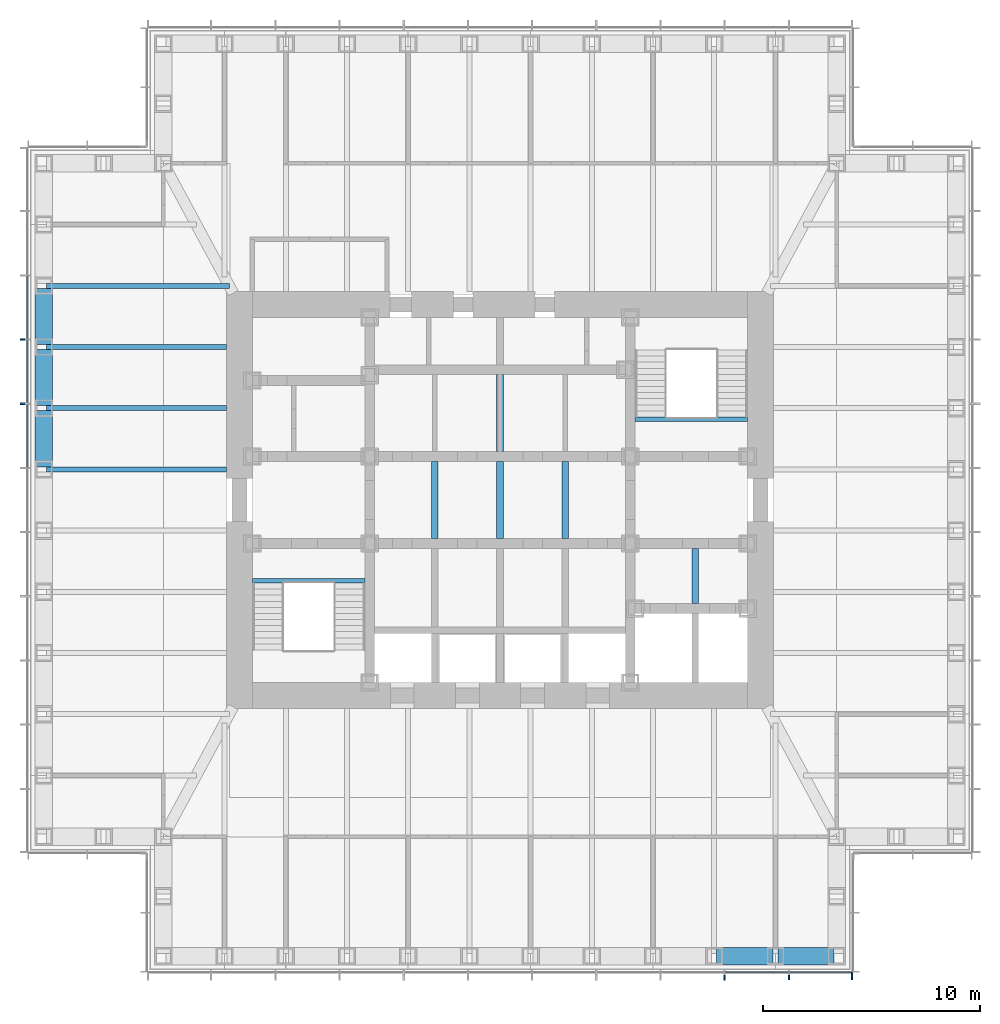
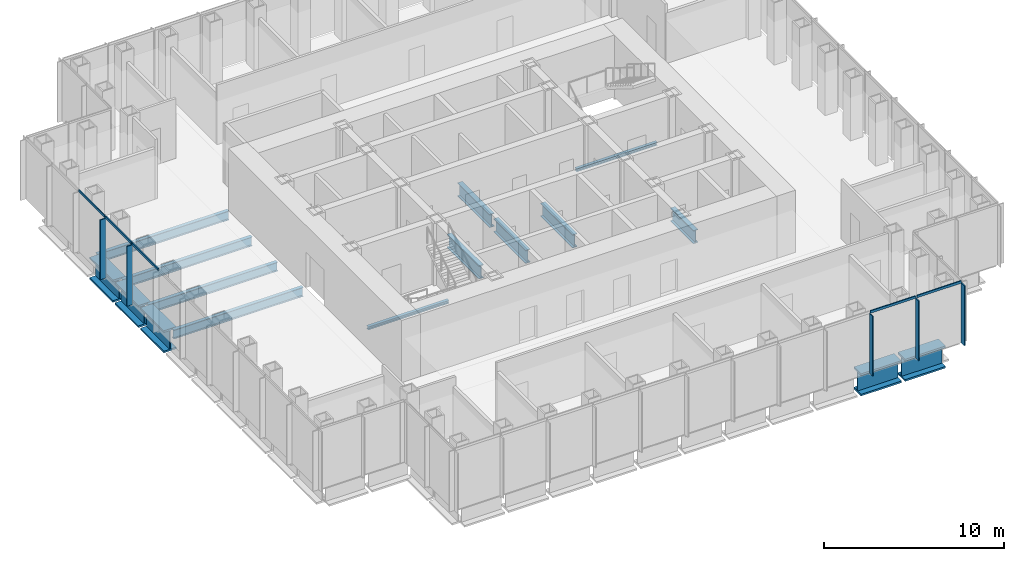
# One storey, part 3 of 16: 16 beams, 10 members, 2 elements without a shape of their own.
"""IFC4 building model written with IfcOpenShell, lengths in metres."""

from ifc_helpers import new_model, si_unit, direction, frame, origin, origin_2d, place, context, subcontext, project, spatial, rectangle, i_section, extrude, material, material_profile, profile_set, type_object, element, aggregate, save


model = new_model("IFC4")

# Units and contexts
model_context = context("Model", 3, precision=1e-05, world=origin(), true_north=direction((0.0, 1.0)))
body_context = subcontext(model_context, "Body", "Model", "MODEL_VIEW")
ifc_project = project(units=[si_unit("LENGTHUNIT", "METRE"), si_unit("AREAUNIT", "SQUARE_METRE"), si_unit("VOLUMEUNIT", "CUBIC_METRE"), si_unit("PLANEANGLEUNIT", "RADIAN"), si_unit("MASSUNIT", "GRAM", prefix="KILO")], contexts=[model_context])

# Site, building, storey
site_placement = place(None, origin())
site = spatial("IfcSite", under=ifc_project, at=site_placement, CompositionType="ELEMENT")
building_placement = place(site_placement, origin())
building = spatial("IfcBuilding", under=site, at=building_placement, Name="Daluyong Arena Tower", CompositionType="ELEMENT")
storey_placement = place(building_placement, frame((0.0, 0.0, 219.10009765625)))
storey = spatial("IfcBuildingStorey", under=building, at=storey_placement, Name="L49", CompositionType="ELEMENT", Elevation=219.10009765625)

# Curtain wall, members
ifc_material_1 = material(Name="Bronze anodised aluminium and glass", Category="aluminium")
curtain_wall_type = type_object("IfcCurtainWallType", Name="Curtain wall CW3", PredefinedType="USERDEFINED", material=ifc_material_1)
curtain_wall_1_placement = place(storey_placement, origin())
curtain_wall_1 = element("IfcCurtainWall", 1, at=curtain_wall_1_placement, inside=storey, type_object=curtain_wall_type, Name="curtain wall L49 S", ObjectType="UNITISED CURTAIN WALL", PredefinedType="USERDEFINED")
ifc_material_2 = material(Name="Bronze anodised aluminium fin", Category="aluminium")
ifc_material_profile_1 = material_profile(ifc_material_2, rectangle(XDim=0.35009765625, YDim=0.070068359375, at=origin_2d()))
ifc_profile_set_1 = profile_set([ifc_material_profile_1], Name="Bronze anodised aluminium fin")
member_type_1 = type_object("IfcMemberType", Name="CW3 bronze fin 350x70", PredefinedType="MULLION", material=ifc_profile_set_1)
member_1_placement = place(storey_placement, frame((66.3408203125, 58.074951171875, 0.0), z_axis=(0.0, 0.0, 1.0), x_axis=(0.0, 1.0, 0.0)))
member_1 = element("IfcMember", 2, at=member_1_placement, type_object=member_type_1, Name="curtain wall L49 S fin 10", PredefinedType="MULLION", context=body_context, shape_type="SweptSolid", body=[
    extrude(rectangle(XDim=0.35009765625, YDim=0.070068359375, at=origin_2d()), origin(), (0.0, 0.0, 1.0), 4.039794921875),
])
member_2_placement = place(storey_placement, frame((69.29541015625, 58.074951171875, 0.0), z_axis=(0.0, 0.0, 1.0), x_axis=(0.0, 1.0, 0.0)))
member_2 = element("IfcMember", 3, at=member_2_placement, type_object=member_type_1, Name="curtain wall L49 S fin 11", PredefinedType="MULLION", context=body_context, shape_type="SweptSolid", body=[
    extrude(rectangle(XDim=0.35009765625, YDim=0.070068359375, at=origin_2d()), origin(), (0.0, 0.0, 1.0), 4.039794921875),
])
member_3_placement = place(storey_placement, frame((72.215087890625, 58.074951171875, 0.0), z_axis=(0.0, 0.0, 1.0), x_axis=(0.0, 1.0, 0.0)))
member_3 = element("IfcMember", 4, at=member_3_placement, type_object=member_type_1, Name="curtain wall L49 S fin 12", PredefinedType="MULLION", context=body_context, shape_type="SweptSolid", body=[
    extrude(rectangle(XDim=0.35009765625, YDim=0.070068359375, at=origin_2d()), origin(), (0.0, 0.0, 1.0), 4.039794921875),
])

curtain_wall_2_placement = place(storey_placement, origin())
curtain_wall_2 = element("IfcCurtainWall", 5, at=curtain_wall_2_placement, inside=storey, type_object=curtain_wall_type, Name="curtain wall L49 W", ObjectType="UNITISED CURTAIN WALL", PredefinedType="USERDEFINED")
member_4_placement = place(storey_placement, frame((34.074951171875, 87.386474609375, 0.0), z_axis=(0.0, 0.0, 1.0), x_axis=(1.0, 0.0, 0.0)))
member_4 = element("IfcMember", 6, at=member_4_placement, type_object=member_type_1, Name="curtain wall L49 W fin 4", PredefinedType="MULLION", context=body_context, shape_type="SweptSolid", body=[
    extrude(rectangle(XDim=0.35009765625, YDim=0.070068359375, at=origin_2d()), origin(), (0.0, 0.0, 1.0), 4.039794921875),
])
member_5_placement = place(storey_placement, frame((34.074951171875, 84.431884765625, 0.0), z_axis=(0.0, 0.0, 1.0), x_axis=(1.0, 0.0, 0.0)))
member_5 = element("IfcMember", 7, at=member_5_placement, type_object=member_type_1, Name="curtain wall L49 W fin 5", PredefinedType="MULLION", context=body_context, shape_type="SweptSolid", body=[
    extrude(rectangle(XDim=0.35009765625, YDim=0.070068359375, at=origin_2d()), origin(), (0.0, 0.0, 1.0), 4.039794921875),
])

# Member
ifc_material_3 = material(Name="Bronze anodised aluminium", Category="aluminium")
ifc_material_profile_2 = material_profile(ifc_material_3, rectangle(XDim=0.070068359375, YDim=0.159912109375, at=origin_2d()))
ifc_profile_set_2 = profile_set([ifc_material_profile_2], Name="Bronze anodised aluminium")
member_type_2 = type_object("IfcMemberType", Name="CW3 stack transom 160x70", PredefinedType="USERDEFINED", material=ifc_profile_set_2)
member_6_placement = place(storey_placement, frame((66.3759765625, 58.25, 4.119873046875), z_axis=(1.0, 0.0, 0.0), x_axis=(0.0, 1.0, 0.0)))
member_6 = element("IfcMember", 8, at=member_6_placement, type_object=member_type_2, Name="curtain wall L49 S transom 10", ObjectType="TRANSOM", PredefinedType="USERDEFINED", context=body_context, shape_type="SweptSolid", body=[
    extrude(rectangle(XDim=0.070068359375, YDim=0.159912109375, at=origin_2d()), origin(), (0.0, 0.0, 1.0), 2.884521484375),
])

member_7_placement = place(storey_placement, frame((69.33056640625, 58.25, 4.119873046875), z_axis=(1.0, 0.0, 0.0), x_axis=(0.0, 1.0, 0.0)))
member_7 = element("IfcMember", 9, at=member_7_placement, type_object=member_type_2, Name="curtain wall L49 S transom 11", ObjectType="TRANSOM", PredefinedType="USERDEFINED", context=body_context, shape_type="SweptSolid", body=[
    extrude(rectangle(XDim=0.070068359375, YDim=0.159912109375, at=origin_2d()), origin(), (0.0, 0.0, 1.0), 2.849365234375),
])

aggregate(curtain_wall_1, [member_1, member_2, member_3, member_6, member_7])

member_8_placement = place(storey_placement, frame((34.25, 90.305908203125, 4.119873046875), z_axis=(0.0, -1.0, 0.0), x_axis=(1.0, 0.0, 0.0)))
member_8 = element("IfcMember", 10, at=member_8_placement, type_object=member_type_2, Name="curtain wall L49 W transom 3", ObjectType="TRANSOM", PredefinedType="USERDEFINED", context=body_context, shape_type="SweptSolid", body=[
    extrude(rectangle(XDim=0.070068359375, YDim=0.159912109375, at=origin_2d()), origin(), (0.0, 0.0, 1.0), 2.884521484375),
])

member_9_placement = place(storey_placement, frame((34.25, 87.351318359375, 4.119873046875), z_axis=(0.0, -1.0, 0.0), x_axis=(1.0, 0.0, 0.0)))
member_9 = element("IfcMember", 11, at=member_9_placement, type_object=member_type_2, Name="curtain wall L49 W transom 4", ObjectType="TRANSOM", PredefinedType="USERDEFINED", context=body_context, shape_type="SweptSolid", body=[
    extrude(rectangle(XDim=0.070068359375, YDim=0.159912109375, at=origin_2d()), origin(), (0.0, 0.0, 1.0), 2.884521484375),
])

member_10_placement = place(storey_placement, frame((34.25, 84.396728515625, 4.119873046875), z_axis=(0.0, -1.0, 0.0), x_axis=(1.0, 0.0, 0.0)))
member_10 = element("IfcMember", 12, at=member_10_placement, type_object=member_type_2, Name="curtain wall L49 W transom 5", ObjectType="TRANSOM", PredefinedType="USERDEFINED", context=body_context, shape_type="SweptSolid", body=[
    extrude(rectangle(XDim=0.070068359375, YDim=0.159912109375, at=origin_2d()), origin(), (0.0, 0.0, 1.0), 2.884521484375),
])

aggregate(curtain_wall_2, [member_4, member_5, member_8, member_9, member_10])

# Beams
ifc_material_4 = material(Name="Steel ASTM A992 Grade 50", Category="steel")
ifc_material_profile_3 = material_profile(ifc_material_4, i_section(OverallWidth=0.22900390625, OverallDepth=0.612060546875, WebThickness=0.011962890625, FlangeThickness=0.01953125, at=origin_2d()))
ifc_profile_set_3 = profile_set([ifc_material_profile_3], Name="Steel ASTM A992 Grade 50")
beam_type_1 = type_object("IfcBeamType", Name="Floor beam W24X84", PredefinedType="BEAM", material=ifc_profile_set_3)
beam_1_placement = place(storey_placement, frame((35.114990234375, 89.863525390625, -0.466064453125), z_axis=(1.0, 0.0, 0.0), x_axis=(0.0, 1.0, 0.0)))
element("IfcBeam", 13, at=beam_1_placement, inside=storey, type_object=beam_type_1, Name="floor beam FB3", PredefinedType="BEAM", context=body_context, shape_type="SweptSolid", body=[
    extrude(i_section(OverallWidth=0.22900390625, OverallDepth=0.612060546875, WebThickness=0.011962890625, FlangeThickness=0.01953125, at=origin_2d()), origin(), (0.0, 0.0, 1.0), 8.419921875),
])
for number, where, z_axis, x_axis, name in (
    (14, (35.114990234375, 87.04541015625, -0.466064453125), (1.0, 0.0, 0.0), (0.0, 1.0, 0.0), "floor beam FB3"),
    (15, (35.114990234375, 84.227294921875, -0.466064453125), (1.0, 0.0, 0.0), (0.0, 1.0, 0.0), "floor beam FB3"),
    (16, (35.114990234375, 81.4091796875, -0.466064453125), (1.0, 0.0, 0.0), (0.0, 1.0, 0.0), "floor beam FB3"),
):
    element("IfcBeam", number, at=place(storey_placement, frame(where, z_axis=z_axis, x_axis=x_axis)), inside=storey, type_object=beam_type_1, Name=name, PredefinedType="BEAM", context=body_context, shape_type="SweptSolid", body=[
        extrude(i_section(OverallWidth=0.22900390625, OverallDepth=0.612060546875, WebThickness=0.011962890625, FlangeThickness=0.01953125, at=origin_2d()), origin(), (0.0, 0.0, 1.0), 8.284912109375),
    ])
ifc_material_5 = material(Name="Steel ASTM A572 Grade 50", Category="steel")
ifc_material_profile_4 = material_profile(ifc_material_5, i_section(OverallWidth=0.300048828125, OverallDepth=0.89990234375, WebThickness=0.025, FlangeThickness=0.04, at=origin_2d()))
ifc_profile_set_4 = profile_set([ifc_material_profile_4], Name="Steel ASTM A572 Grade 50")
beam_type_2 = type_object("IfcBeamType", Name="Lift divider beam PG900X300", PredefinedType="BEAM", material=ifc_profile_set_4)
for number, where, z_axis, x_axis, name in (
    (17, (53.0, 78.22509765625, -0.610107421875), (0.0, 1.0, 0.0), (-1.0, 0.0, 0.0), "lift divider beam DB1"),
    (18, (56.0, 78.22509765625, -0.610107421875), (0.0, 1.0, 0.0), (-1.0, 0.0, 0.0), "lift divider beam DB1"),
    (19, (56.0, 82.22509765625, -0.610107421875), (0.0, 1.0, 0.0), (-1.0, 0.0, 0.0), "lift divider beam DB1"),
    (20, (59.0, 78.22509765625, -0.610107421875), (0.0, 1.0, 0.0), (-1.0, 0.0, 0.0), "lift divider beam DB1"),
):
    element("IfcBeam", number, at=place(storey_placement, frame(where, z_axis=z_axis, x_axis=x_axis)), inside=storey, type_object=beam_type_2, Name=name, PredefinedType="BEAM", context=body_context, shape_type="SweptSolid", body=[
        extrude(i_section(OverallWidth=0.300048828125, OverallDepth=0.89990234375, WebThickness=0.025, FlangeThickness=0.04, at=origin_2d()), origin(), (0.0, 0.0, 1.0), 3.5498046875),
    ])
beam_2_placement = place(storey_placement, frame((65.0, 75.22509765625, -0.610107421875), z_axis=(0.0, 1.0, 0.0), x_axis=(-1.0, 0.0, 0.0)))
element("IfcBeam", 21, at=beam_2_placement, inside=storey, type_object=beam_type_2, Name="lift divider beam DB1", PredefinedType="BEAM", context=body_context, shape_type="SweptSolid", body=[
    extrude(i_section(OverallWidth=0.300048828125, OverallDepth=0.89990234375, WebThickness=0.025, FlangeThickness=0.04, at=origin_2d()), origin(), (0.0, 0.0, 1.0), 2.5498046875),
])
ifc_material_6 = material(Name="Steel ASTM A588 Grade 50", Category="steel")
ifc_material_profile_5 = material_profile(ifc_material_6, i_section(OverallWidth=0.800048828125, OverallDepth=1.5, WebThickness=0.05, FlangeThickness=0.12, at=origin_2d()))
ifc_profile_set_5 = profile_set([ifc_material_profile_5], Name="Steel ASTM A588 Grade 50")
beam_type_3 = type_object("IfcBeamType", Name="Spandrel Z3 PG1500X800", PredefinedType="SPANDREL", material=ifc_profile_set_5)
beam_3_placement = place(storey_placement, frame((65.978515625, 59.0, -0.91015625), z_axis=(1.0, 0.0, 0.0), x_axis=(0.0, 1.0, 0.0)))
element("IfcBeam", 22, at=beam_3_placement, inside=storey, type_object=beam_type_3, Name="spandrel z3 SB7", PredefinedType="SPANDREL", context=body_context, shape_type="SweptSolid", body=[
    extrude(i_section(OverallWidth=0.800048828125, OverallDepth=1.5, WebThickness=0.05, FlangeThickness=0.12, at=origin_2d()), origin(), (0.0, 0.0, 1.0), 2.58837890625),
])
for number, where, z_axis, x_axis, name in (
    (23, (68.796875, 59.0, -0.91015625), (1.0, 0.0, 0.0), (0.0, 1.0, 0.0), "spandrel z3 SB7"),
    (24, (35.0, 89.74853515625, -0.91015625), (0.0, -1.0, 0.0), (1.0, 0.0, 0.0), "spandrel z3 SB7"),
    (25, (35.0, 86.930419921875, -0.91015625), (0.0, -1.0, 0.0), (1.0, 0.0, 0.0), "spandrel z3 SB7"),
    (26, (35.0, 84.1123046875, -0.91015625), (0.0, -1.0, 0.0), (1.0, 0.0, 0.0), "spandrel z3 SB7"),
):
    element("IfcBeam", number, at=place(storey_placement, frame(where, z_axis=z_axis, x_axis=x_axis)), inside=storey, type_object=beam_type_3, Name=name, PredefinedType="SPANDREL", context=body_context, shape_type="SweptSolid", body=[
        extrude(i_section(OverallWidth=0.800048828125, OverallDepth=1.5, WebThickness=0.05, FlangeThickness=0.12, at=origin_2d()), origin(), (0.0, 0.0, 1.0), 2.588134765625),
    ])
ifc_material_7 = material(Name="Steel ASTM A992 Grade 50", Category="steel")
ifc_material_profile_6 = material_profile(ifc_material_7, i_section(OverallWidth=0.203125, OverallDepth=0.203125, WebThickness=0.00732421875, FlangeThickness=0.010986328125, at=origin_2d()))
ifc_profile_set_6 = profile_set([ifc_material_profile_6], Name="Steel ASTM A992 Grade 50")
beam_type_4 = type_object("IfcBeamType", Name="Stair landing beam W8X31", PredefinedType="BEAM", material=ifc_profile_set_6)
for number, where, z_axis, x_axis, name in (
    (27, (44.60009765625, 76.276611328125, -0.26171875), (1.0, 0.0, 0.0), (0.0, 1.0, 0.0), "exit stair A landing beam"),
    (28, (62.22509765625, 83.723388671875, -0.26171875), (1.0, 0.0, 0.0), (0.0, 1.0, 0.0), "exit stair B landing beam"),
):
    element("IfcBeam", number, at=place(storey_placement, frame(where, z_axis=z_axis, x_axis=x_axis)), inside=storey, type_object=beam_type_4, Name=name, PredefinedType="BEAM", context=body_context, shape_type="SweptSolid", body=[
        extrude(i_section(OverallWidth=0.203125, OverallDepth=0.203125, WebThickness=0.00732421875, FlangeThickness=0.010986328125, at=origin_2d()), origin(), (0.0, 0.0, 1.0), 5.1748046875),
    ])

save(model, "model.ifc")
